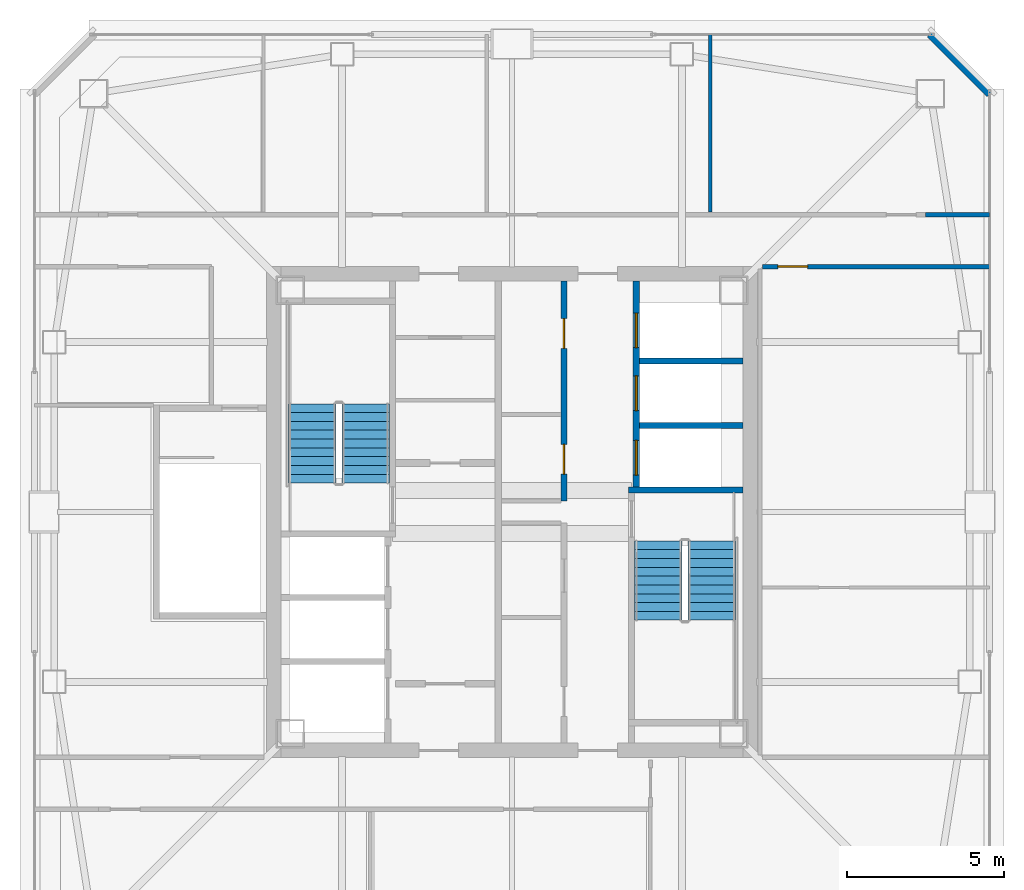
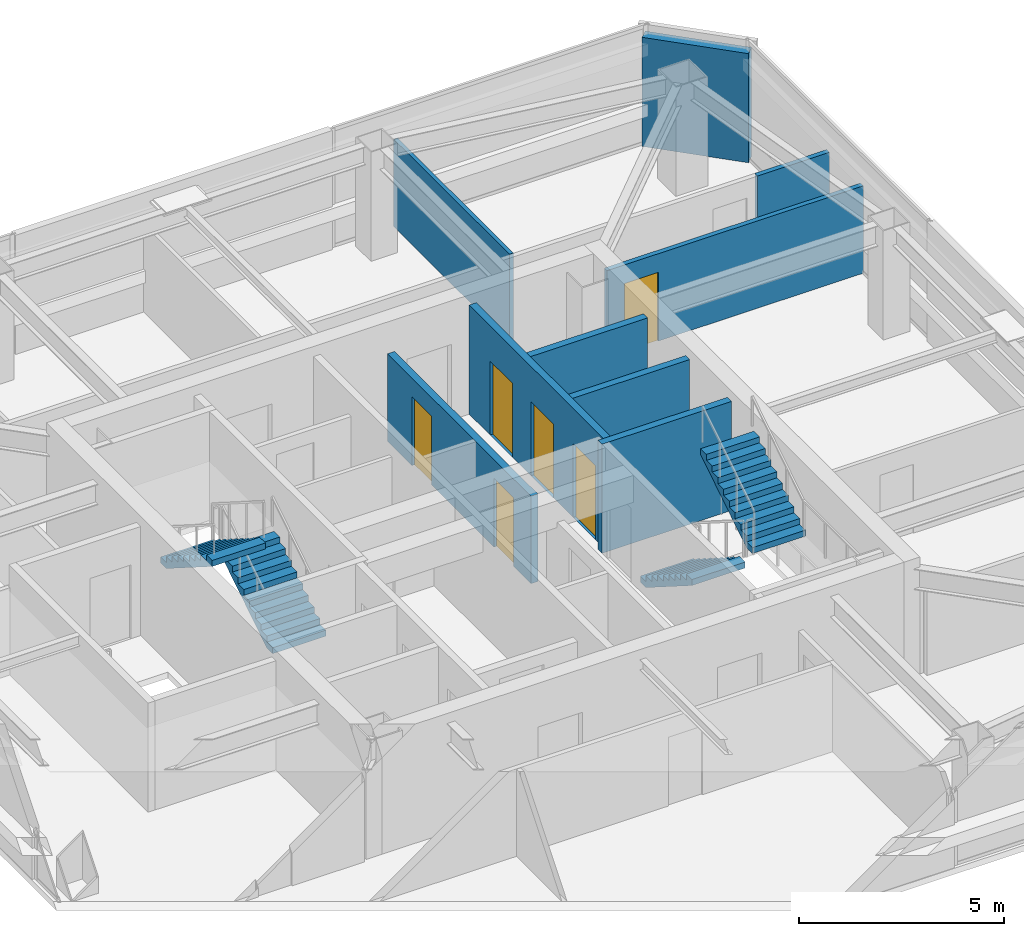
# One storey, part 15 of 18: 9 walls, 6 doors, 4 stair flights, 6 openings, 2 elements without a shape of their own.
"""IFC4 building model written with IfcOpenShell, lengths in metres."""

import ifcopenshell
import ifcopenshell.guid

model = None  # the IFC model being written
_history = None  # IfcOwnerHistory: only IFC2X3 demands one
_inside = {}  # id of a spatial element -> (the spatial element, [elements in it])
_under = {}  # id of a project, library or spatial element -> (it, [spatial elements below it])
_declared = {}  # id of a project -> (the project, [libraries it declares])
_typed = {}  # id of a type object -> (the type object, [elements of that type])
_made_of = {}  # id of a material, layer set ... -> (it, [elements and type objects made of it])


def new_model(schema):
    """Start an empty IFC model of exactly this schema.

    Asked for "IFC4X3", IfcOpenShell would pick the latest addendum, in which some entities
    have other attributes; the version numbers below select the first issue.
    IFC2X3 requires an IfcOwnerHistory on every rooted entity: one is made here for all.
    """
    global model, _history
    if schema == "IFC4X3":
        model = ifcopenshell.file(schema_version=(4, 3, 0, 0))
    else:
        model = ifcopenshell.file(schema=schema)
    _inside.clear()
    _under.clear()
    _declared.clear()
    _typed.clear()
    _made_of.clear()
    _history = None
    if model.schema == "IFC2X3":
        org = make("IfcOrganization", Name="unknown")
        user = make(
            "IfcPersonAndOrganization",
            ThePerson=make("IfcPerson", FamilyName="unknown"),
            TheOrganization=org,
        )
        app = make(
            "IfcApplication",
            ApplicationDeveloper=org,
            Version="unknown",
            ApplicationFullName="unknown",
            ApplicationIdentifier="unknown",
        )
        _history = make(
            "IfcOwnerHistory",
            OwningUser=user,
            OwningApplication=app,
            ChangeAction="ADDED",
            CreationDate=0,
        )
    return model


def make(cls, **values):
    """One entity of the class cls with the attributes given. An attribute that is None is left unset."""
    return model.create_entity(
        cls, **{name: value for name, value in values.items() if value is not None}
    )


def rooted(cls, **values):
    """An entity with a GlobalId (a new one), such as an element, a storey or a relation."""
    return make(cls, GlobalId=ifcopenshell.guid.new(), OwnerHistory=_history, **values)


def si_unit(unit_type, name, prefix=None):
    """IfcSIUnit, for example si_unit("LENGTHUNIT", "METRE", prefix="MILLI")."""
    return make("IfcSIUnit", UnitType=unit_type, Prefix=prefix, Name=name)


def assignment(units):
    """IfcUnitAssignment: the units of a project."""
    return None if units is None else make("IfcUnitAssignment", Units=units)


def point(xyz):
    """IfcCartesianPoint."""
    return None if xyz is None else make("IfcCartesianPoint", Coordinates=xyz)


def direction(xyz):
    """IfcDirection."""
    return None if xyz is None else make("IfcDirection", DirectionRatios=xyz)


def frame(location, z_axis=None, x_axis=None):
    """IfcAxis2Placement3D, a coordinate frame: its origin and axes. An axis left out is left unset."""
    return make(
        "IfcAxis2Placement3D",
        Location=point(location),
        Axis=direction(z_axis),
        RefDirection=direction(x_axis),
    )


def frame_2d(location, x_axis=None):
    """IfcAxis2Placement2D, a coordinate frame in the plane: its origin and x axis."""
    return make(
        "IfcAxis2Placement2D", Location=point(location), RefDirection=direction(x_axis)
    )


def origin():
    """The frame at (0, 0, 0) with its axes left unset."""
    return frame((0.0, 0.0, 0.0))


def place(relative_to, where):
    """IfcLocalPlacement: puts the frame where relative to a parent placement (None: the world)."""
    return make(
        "IfcLocalPlacement", PlacementRelTo=relative_to, RelativePlacement=where
    )


def context(
    kind, dimensions, precision=None, world=None, true_north=None, identifier=None
):
    """IfcGeometricRepresentationContext, for example the 3D "Model" context."""
    return make(
        "IfcGeometricRepresentationContext",
        ContextIdentifier=identifier,
        ContextType=kind,
        CoordinateSpaceDimension=dimensions,
        Precision=precision,
        WorldCoordinateSystem=world,
        TrueNorth=true_north,
    )


def subcontext(parent, identifier, kind, view, scale=None):
    """IfcGeometricRepresentationSubContext, for example "Body" below "Model"."""
    return make(
        "IfcGeometricRepresentationSubContext",
        ContextIdentifier=identifier,
        ContextType=kind,
        ParentContext=parent,
        TargetScale=scale,
        TargetView=view,
    )


def project(units=None, contexts=None):
    """IfcProject with its units and contexts."""
    return rooted(
        "IfcProject",
        Name="project",
        RepresentationContexts=contexts,
        UnitsInContext=assignment(units),
    )


def spatial(cls, under=None, at=None, **own):
    """A site, building, storey or space (cls), placed at a placement, below another one or the project."""
    s = rooted(cls, ObjectPlacement=at, **own)
    if under is not None:
        _under.setdefault(under.id(), (under, []))[1].append(s)
    return s


def polyline(points):
    """IfcPolyline through the points."""
    return make("IfcPolyline", Points=[point(p) for p in points])


def profile(cls, at=None, kind="AREA", **sizes):
    """A parametric profile (cls). Its sizes go by their IFC names, for example OverallWidth=200.0."""
    return make(cls, ProfileType=kind, Position=at, **sizes)


def rectangle(**sizes):
    """IfcRectangleProfileDef."""
    return profile("IfcRectangleProfileDef", **sizes)


def outline(outer, holes=None, kind="AREA"):
    """IfcArbitraryClosedProfileDef: a profile drawn as a closed curve; with holes, ...WithVoids."""
    if holes is None:
        return make("IfcArbitraryClosedProfileDef", ProfileType=kind, OuterCurve=outer)
    return make(
        "IfcArbitraryProfileDefWithVoids",
        ProfileType=kind,
        OuterCurve=outer,
        InnerCurves=holes,
    )


def extrude(swept, where, along, depth):
    """IfcExtrudedAreaSolid: the profile swept, set in the frame where, extruded along a direction by depth."""
    return make(
        "IfcExtrudedAreaSolid",
        SweptArea=swept,
        Position=where,
        ExtrudedDirection=direction(along),
        Depth=depth,
    )


def shape(context_of_items, identifier, shape_type, items):
    """IfcShapeRepresentation: the items that make up one representation, for example the "Body"."""
    return make(
        "IfcShapeRepresentation",
        ContextOfItems=context_of_items,
        RepresentationIdentifier=identifier,
        RepresentationType=shape_type,
        Items=items,
    )


def material(Name=None, Category=None):
    """IfcMaterial."""
    return make("IfcMaterial", Name=Name, Category=Category)


def layer(
    of_material, thickness, ventilated=None, Name=None, Category=None, Priority=None
):
    """IfcMaterialLayer: one layer of a wall or slab, of a material (None: an air gap)."""
    return make(
        "IfcMaterialLayer",
        Material=of_material,
        LayerThickness=thickness,
        IsVentilated=ventilated,
        Name=Name,
        Category=Category,
        Priority=Priority,
    )


def layer_set(layers, Name=None):
    """IfcMaterialLayerSet."""
    return make("IfcMaterialLayerSet", MaterialLayers=layers, LayerSetName=Name)


def made_of(thing, what):
    """Note that an element or type object is made of a material, layer set ...; save() writes the relation."""
    if what is not None:
        _made_of.setdefault(what.id(), (what, []))[1].append(thing)
    return thing


def type_object(cls, material=None, **own):
    """A type object (cls), such as IfcWallType, which elements share."""
    return made_of(rooted(cls, **own), material)


def element(
    cls,
    number,
    at=None,
    inside=None,
    cuts=None,
    type_object=None,
    material=None,
    context=None,
    identifier="Body",
    shape_type=None,
    held_by="IfcProductDefinitionShape",
    body=None,
    shapes=None,
    **own,
):
    """One element of the class cls, such as IfcWall. Its Tag is "e" and its number.

    at: its placement. inside: the storey or other place that contains it. cuts: it is an
    opening in that element (IfcRelVoidsElement). A single representation is given by context,
    identifier, shape_type and body (its items); several are given by shapes. held_by: the class
    of the entity that holds the representations. save() writes the other relations.
    """
    e = rooted(cls, Tag="e%d" % number, ObjectPlacement=at, **own)
    if body is not None:
        shapes = [shape(context, identifier, shape_type, body)]
    if shapes is not None:
        e.Representation = make(held_by, Representations=shapes)
    if inside is not None:
        _inside.setdefault(inside.id(), (inside, []))[1].append(e)
    if cuts is not None:
        rooted(
            "IfcRelVoidsElement", RelatingBuildingElement=cuts, RelatedOpeningElement=e
        )
    if type_object is not None:
        _typed.setdefault(type_object.id(), (type_object, []))[1].append(e)
    return made_of(e, material)


def fill(opening, filler):
    """IfcRelFillsElement: the door or window that sits in an opening."""
    return rooted(
        "IfcRelFillsElement",
        RelatingOpeningElement=opening,
        RelatedBuildingElement=filler,
    )


def aggregate(whole, parts):
    """IfcRelAggregates: a whole, such as a stair, and the parts it consists of."""
    return rooted("IfcRelAggregates", RelatingObject=whole, RelatedObjects=parts)


def save(model, path):
    """Write the relations noted so far, then the file.

    IfcRelAggregates (storeys below a building ...), IfcRelContainedInSpatialStructure (elements
    in a storey), IfcRelDefinesByType, IfcRelAssociatesMaterial and IfcRelDeclares: one each for
    every whole, place, type object, material and project.
    """
    for whole, parts in _under.values():
        aggregate(whole, parts)
    for where, things in _inside.values():
        rooted(
            "IfcRelContainedInSpatialStructure",
            RelatedElements=things,
            RelatingStructure=where,
        )
    for kind, things in _typed.values():
        rooted("IfcRelDefinesByType", RelatedObjects=things, RelatingType=kind)
    for what, things in _made_of.values():
        rooted("IfcRelAssociatesMaterial", RelatedObjects=things, RelatingMaterial=what)
    for by, libraries in _declared.values():
        rooted("IfcRelDeclares", RelatingContext=by, RelatedDefinitions=libraries)
    model.write(path)


model = new_model("IFC4")

# Units and contexts
model_context = context("Model", 3, precision=1e-05, world=origin(), true_north=direction((0.0, 1.0)))
body_context = subcontext(model_context, "Body", "Model", "MODEL_VIEW")
ifc_project = project(units=[si_unit("LENGTHUNIT", "METRE"), si_unit("AREAUNIT", "SQUARE_METRE"), si_unit("VOLUMEUNIT", "CUBIC_METRE"), si_unit("PLANEANGLEUNIT", "RADIAN"), si_unit("MASSUNIT", "GRAM", prefix="KILO")], contexts=[model_context])

# Site, building, storey
site_placement = place(None, origin())
site = spatial("IfcSite", under=ifc_project, at=site_placement, CompositionType="ELEMENT")
building_placement = place(site_placement, origin())
building = spatial("IfcBuilding", under=site, at=building_placement, Name="Tashvorn Skyway Center", CompositionType="ELEMENT")
storey_placement = place(building_placement, frame((0.0, 0.0, 274.050048828125)))
storey = spatial("IfcBuildingStorey", under=building, at=storey_placement, Name="L74", CompositionType="ELEMENT", Elevation=274.050048828125)

# Walls
ifc_material_1 = material(Name="Precast concrete C40/50", Category="concrete")
ifc_layer_1 = layer(ifc_material_1, 0.280029296875)
ifc_layer_set_1 = layer_set([ifc_layer_1], Name="Precast concrete C40/50")
wall_type_1 = type_object("IfcWallType", Name="WALL-EXT-280", PredefinedType="SOLIDWALL", material=ifc_layer_set_1)
wall_1_placement = place(storey_placement, frame((55.300048828125, 47.199951171875, 0.0), z_axis=(0.0, 0.0, 1.0), x_axis=(0.707106781187, -0.707106781187, 0.0)))
element("IfcWall", 1, at=wall_1_placement, inside=storey, type_object=wall_type_1, Name="Tower 1 L74 NE Precast Chamfer Wall", PredefinedType="SOLIDWALL", context=body_context, shape_type="SweptSolid", body=[
    extrude(rectangle(XDim=2.686767578125, YDim=0.280029296875, at=frame_2d((1.34326171875, 0.0))), origin(), (0.0, 0.0, 1.0), 3.25),
])
ifc_material_2 = material(Name="Gypsum board on cold-formed steel stud framing", Category="steel")
ifc_layer_2 = layer(ifc_material_2, 0.110107421875)
ifc_layer_set_2 = layer_set([ifc_layer_2], Name="Gypsum board on cold-formed steel stud framing")
wall_type_2 = type_object("IfcWallType", Name="WALL-PART-110", PredefinedType="PARTITIONING", material=ifc_layer_set_2)
wall_2_placement = place(storey_placement, frame((48.300048828125, 41.530029296875, 0.0), z_axis=(0.0, 0.0, 1.0), x_axis=(0.0, 1.0, 0.0)))
element("IfcWall", 2, at=wall_2_placement, inside=storey, type_object=wall_type_2, Name="Tower 1 L74 North Suite Partition 3", PredefinedType="PARTITIONING", context=body_context, shape_type="SweptSolid", body=[
    extrude(rectangle(XDim=5.64990234375, YDim=0.110107421875, at=frame_2d((2.824951171875, 0.0))), origin(), (0.0, 0.0, 1.0), 2.60302734375),
])
ifc_layer_3 = layer(ifc_material_2, 0.135009765625)
ifc_layer_set_3 = layer_set([ifc_layer_3], Name="Gypsum board on cold-formed steel stud framing")
wall_type_3 = type_object("IfcWallType", Name="WALL-PART-135", PredefinedType="PARTITIONING", material=ifc_layer_set_3)
wall_3_placement = place(storey_placement, frame((55.14990234375, 41.449951171875, 0.0), z_axis=(0.0, 0.0, 1.0), x_axis=(1.0, 0.0, 0.0)))
element("IfcWall", 3, at=wall_3_placement, inside=storey, type_object=wall_type_3, Name="Tower 1 L74 North-East Suite South Wall", PredefinedType="PARTITIONING", context=body_context, shape_type="SweptSolid", body=[
    extrude(rectangle(XDim=2.030029296875, YDim=0.135009765625, at=frame_2d((1.01513671875, 0.0))), origin(), (0.0, 0.0, 1.0), 2.60302734375),
])

# Wall, opening, door
wall_4_placement = place(storey_placement, frame((57.179931640625, 39.800048828125, 0.0), z_axis=(0.0, 0.0, 1.0), x_axis=(-1.0, 0.0, 0.0)))
wall_4 = element("IfcWall", 4, at=wall_4_placement, inside=storey, type_object=wall_type_3, Name="Tower 1 L74 East Suite North Wall", PredefinedType="PARTITIONING", context=body_context, shape_type="SweptSolid", body=[
    extrude(rectangle(XDim=7.219970703125, YDim=0.135009765625, at=frame_2d((3.60986328125, 0.0))), origin(), (0.0, 0.0, 1.0), 2.60302734375),
])
opening_1_placement = place(wall_4_placement, frame((5.780029296875, 0.0, 0.0)))
opening_1 = element("IfcOpeningElement", 5, at=opening_1_placement, cuts=wall_4, Name="Opening D-INT-950", PredefinedType="OPENING", context=body_context, shape_type="SweptSolid", body=[
    extrude(rectangle(XDim=0.949951171875, YDim=2.050048828125, at=frame_2d((0.47509765625, 1.02490234375))), frame((0.0, 0.077392578125, 0.0), z_axis=(0.0, -1.0, 0.0), x_axis=(1.0, 0.0, 0.0)), (0.0, 0.0, 1.0), 0.155029296875),
])
ifc_material_3 = material(Name="Solid-core architectural oak veneer door")
door_type_1 = type_object("IfcDoorType", Name="DOOR-INT-950", OperationType="NOTDEFINED", PredefinedType="DOOR", material=ifc_material_3)
door_1_placement = place(opening_1_placement, origin())
door_1 = element("IfcDoor", 6, at=door_1_placement, inside=storey, type_object=door_type_1, Name="Tower 1 L74 Conference Room Door", OperationType="SINGLE_SWING_RIGHT", OverallHeight=2.050048828125, OverallWidth=0.949951171875, PredefinedType="DOOR", context=body_context, shape_type="SweptSolid", body=[
    extrude(rectangle(XDim=0.949951171875, YDim=2.050048828125, at=frame_2d((0.47509765625, 1.02490234375))), frame((0.0, 0.02490234375, 0.0), z_axis=(0.0, -1.0, 0.0), x_axis=(1.0, 0.0, 0.0)), (0.0, 0.0, 1.0), 0.050048828125),
])
fill(opening_1, door_1)

# Walls
ifc_material_4 = material(Name="Concrete C40/50", Category="concrete")
ifc_layer_4 = layer(ifc_material_4, 0.199951171875)
ifc_layer_set_4 = layer_set([ifc_layer_4], Name="Concrete C40/50")
wall_type_4 = type_object("IfcWallType", Name="WALL-SHAFT-200", PredefinedType="SOLIDWALL", material=ifc_layer_set_4)
for number, where, z_axis, x_axis, name in (
    (7, (46.050048828125, 34.75, 0.0), (0.0, 0.0, 1.0), (1.0, 0.0, 0.0), "Tower 1 L74 High-Rise Shaft Divider"),
    (8, (46.050048828125, 36.800048828125, 0.0), (0.0, 0.0, 1.0), (1.0, 0.0, 0.0), "Tower 1 L74 High-Rise Shaft Divider"),
):
    element("IfcWall", number, at=place(storey_placement, frame(where, z_axis=z_axis, x_axis=x_axis)), inside=storey, type_object=wall_type_4, Name=name, PredefinedType="SOLIDWALL", context=body_context, shape_type="SweptSolid", body=[
        extrude(rectangle(XDim=3.300048828125, YDim=0.199951171875, at=frame_2d((1.64990234375, 0.0))), origin(), (0.0, 0.0, 1.0), 3.25),
    ])

# Wall, openings, doors
wall_5_placement = place(storey_placement, frame((43.64990234375, 32.35009765625, 0.0), z_axis=(0.0, 0.0, 1.0), x_axis=(0.0, 1.0, 0.0)))
wall_5 = element("IfcWall", 9, at=wall_5_placement, inside=storey, type_object=wall_type_4, Name="Tower 1 L74 Mid-Rise Core Wall", PredefinedType="SOLIDWALL", context=body_context, shape_type="SweptSolid", body=[
    extrude(rectangle(XDim=7.0, YDim=0.199951171875, at=frame_2d((3.5, 0.0))), origin(), (0.0, 0.0, 1.0), 2.60302734375),
])
opening_2_placement = place(wall_5_placement, frame((0.85009765625, 0.0, 0.0)))
opening_2 = element("IfcOpeningElement", 10, at=opening_2_placement, cuts=wall_5, Name="Opening D-RT-950", PredefinedType="OPENING", context=body_context, shape_type="SweptSolid", body=[
    extrude(rectangle(XDim=0.949951171875, YDim=2.050048828125, at=frame_2d((0.47509765625, 1.02490234375))), frame((0.0, 0.10986328125, 0.0), z_axis=(0.0, -1.0, 0.0), x_axis=(1.0, 0.0, 0.0)), (0.0, 0.0, 1.0), 0.219970703125),
])
opening_3_placement = place(wall_5_placement, frame((4.85009765625, 0.0, 0.0)))
opening_3 = element("IfcOpeningElement", 11, at=opening_3_placement, cuts=wall_5, Name="Opening D-RT-950", PredefinedType="OPENING", context=body_context, shape_type="SweptSolid", body=[
    extrude(rectangle(XDim=0.949951171875, YDim=2.050048828125, at=frame_2d((0.47509765625, 1.02490234375))), frame((0.0, 0.10986328125, 0.0), z_axis=(0.0, -1.0, 0.0), x_axis=(1.0, 0.0, 0.0)), (0.0, 0.0, 1.0), 0.219970703125),
])
ifc_material_5 = material(Name="Hollow galvanized steel fire door assembly", Category="steel")
door_type_2 = type_object("IfcDoorType", Name="DOOR-RATED-950", OperationType="NOTDEFINED", PredefinedType="DOOR", material=ifc_material_5)
door_2_placement = place(opening_2_placement, origin())
door_2 = element("IfcDoor", 12, at=door_2_placement, inside=storey, type_object=door_type_2, Name="Tower 1 L74 Core IT Room Door", OperationType="SINGLE_SWING_RIGHT", OverallHeight=2.050048828125, OverallWidth=0.949951171875, PredefinedType="DOOR", context=body_context, shape_type="SweptSolid", body=[
    extrude(rectangle(XDim=0.949951171875, YDim=2.050048828125, at=frame_2d((0.47509765625, 1.02490234375))), frame((0.0, 0.02490234375, 0.0), z_axis=(0.0, -1.0, 0.0), x_axis=(1.0, 0.0, 0.0)), (0.0, 0.0, 1.0), 0.050048828125),
])
fill(opening_2, door_2)
door_3_placement = place(opening_3_placement, origin())
door_3 = element("IfcDoor", 13, at=door_3_placement, inside=storey, type_object=door_type_2, Name="Tower 1 L74 Core Catering Pantry Door", OperationType="SINGLE_SWING_LEFT", OverallHeight=2.050048828125, OverallWidth=0.949951171875, PredefinedType="DOOR", context=body_context, shape_type="SweptSolid", body=[
    extrude(rectangle(XDim=0.949951171875, YDim=2.050048828125, at=frame_2d((0.47509765625, 1.02490234375))), frame((0.0, 0.02490234375, 0.0), z_axis=(0.0, -1.0, 0.0), x_axis=(1.0, 0.0, 0.0)), (0.0, 0.0, 1.0), 0.050048828125),
])
fill(opening_3, door_3)

# Wall
ifc_layer_5 = layer(ifc_material_4, 0.199951171875)
ifc_layer_set_5 = layer_set([ifc_layer_5], Name="Concrete C40/50")
wall_type_5 = type_object("IfcWallType", Name="WALL-STSHF-200", PredefinedType="SHEAR", material=ifc_layer_set_5)
wall_6_placement = place(storey_placement, frame((45.699951171875, 32.699951171875, 0.0), z_axis=(0.0, 0.0, 1.0), x_axis=(1.0, 0.0, 0.0)))
element("IfcWall", 14, at=wall_6_placement, inside=storey, type_object=wall_type_5, Name="Tower 1 L74 Stair 2 North Wall", PredefinedType="SHEAR", context=body_context, shape_type="SweptSolid", body=[
    extrude(rectangle(XDim=3.650146484375, YDim=0.199951171875, at=frame_2d((1.8251953125, 0.0))), origin(), (0.0, 0.0, 1.0), 3.25),
])

# Wall, openings, doors
wall_7_placement = place(storey_placement, frame((45.949951171875, 39.35009765625, 0.0), z_axis=(0.0, 0.0, 1.0), x_axis=(0.0, -1.0, 0.0)))
wall_7 = element("IfcWall", 15, at=wall_7_placement, inside=storey, type_object=wall_type_5, Name="Tower 1 L74 High-Rise Lift Shaft Front Wall", PredefinedType="SHEAR", context=body_context, shape_type="SweptSolid", body=[
    extrude(rectangle(XDim=6.550048828125, YDim=0.199951171875, at=frame_2d((3.27490234375, 0.0))), origin(), (0.0, 0.0, 1.0), 3.25),
])
opening_4_placement = place(wall_7_placement, frame((5.074951171875, 0.0, 0.0)))
opening_4 = element("IfcOpeningElement", 16, at=opening_4_placement, cuts=wall_7, Name="Opening LD-HR-T1-1-L74", PredefinedType="OPENING", context=body_context, shape_type="SweptSolid", body=[
    extrude(rectangle(XDim=1.10009765625, YDim=2.199951171875, at=frame_2d((0.550048828125, 1.10009765625))), frame((0.0, 0.10986328125, 0.0), z_axis=(0.0, -1.0, 0.0), x_axis=(1.0, 0.0, 0.0)), (0.0, 0.0, 1.0), 0.219970703125),
])
opening_5_placement = place(wall_7_placement, frame((3.02490234375, 0.0, 0.0)))
opening_5 = element("IfcOpeningElement", 17, at=opening_5_placement, cuts=wall_7, Name="Opening LD-HR-T1-2-L74", PredefinedType="OPENING", context=body_context, shape_type="SweptSolid", body=[
    extrude(rectangle(XDim=1.10009765625, YDim=2.199951171875, at=frame_2d((0.550048828125, 1.10009765625))), frame((0.0, 0.10986328125, 0.0), z_axis=(0.0, -1.0, 0.0), x_axis=(1.0, 0.0, 0.0)), (0.0, 0.0, 1.0), 0.219970703125),
])
opening_6_placement = place(wall_7_placement, frame((1.02490234375, 0.0, 0.0)))
opening_6 = element("IfcOpeningElement", 18, at=opening_6_placement, cuts=wall_7, Name="Opening LD-HR-T1-3-L74", PredefinedType="OPENING", context=body_context, shape_type="SweptSolid", body=[
    extrude(rectangle(XDim=1.10009765625, YDim=2.199951171875, at=frame_2d((0.550048828125, 1.10009765625))), frame((0.0, 0.10986328125, 0.0), z_axis=(0.0, -1.0, 0.0), x_axis=(1.0, 0.0, 0.0)), (0.0, 0.0, 1.0), 0.219970703125),
])
ifc_material_6 = material(Name="Stainless steel landing door", Category="steel")
door_type_3 = type_object("IfcDoorType", Name="DOOR-LIFT-1100", OperationType="SLIDING_TO_LEFT", PredefinedType="DOOR", material=ifc_material_6)
door_4_placement = place(opening_4_placement, origin())
door_4 = element("IfcDoor", 19, at=door_4_placement, inside=storey, type_object=door_type_3, Name="Lift HR-T1-1 L74 Landing Door", OperationType="SLIDING_TO_LEFT", OverallHeight=2.199951171875, OverallWidth=1.10009765625, PredefinedType="DOOR", context=body_context, shape_type="SweptSolid", body=[
    extrude(rectangle(XDim=1.10009765625, YDim=2.199951171875, at=frame_2d((0.550048828125, 1.10009765625))), frame((0.0, 0.02490234375, 0.0), z_axis=(0.0, -1.0, 0.0), x_axis=(1.0, 0.0, 0.0)), (0.0, 0.0, 1.0), 0.050048828125),
])
fill(opening_4, door_4)
door_5_placement = place(opening_5_placement, origin())
door_5 = element("IfcDoor", 20, at=door_5_placement, inside=storey, type_object=door_type_3, Name="Lift HR-T1-2 L74 Landing Door", OperationType="SLIDING_TO_LEFT", OverallHeight=2.199951171875, OverallWidth=1.10009765625, PredefinedType="DOOR", context=body_context, shape_type="SweptSolid", body=[
    extrude(rectangle(XDim=1.10009765625, YDim=2.199951171875, at=frame_2d((0.550048828125, 1.10009765625))), frame((0.0, 0.02490234375, 0.0), z_axis=(0.0, -1.0, 0.0), x_axis=(1.0, 0.0, 0.0)), (0.0, 0.0, 1.0), 0.050048828125),
])
fill(opening_5, door_5)
door_6_placement = place(opening_6_placement, origin())
door_6 = element("IfcDoor", 21, at=door_6_placement, inside=storey, type_object=door_type_3, Name="Lift HR-T1-3 L74 Landing Door", OperationType="SLIDING_TO_LEFT", OverallHeight=2.199951171875, OverallWidth=1.10009765625, PredefinedType="DOOR", context=body_context, shape_type="SweptSolid", body=[
    extrude(rectangle(XDim=1.10009765625, YDim=2.199951171875, at=frame_2d((0.550048828125, 1.10009765625))), frame((0.0, 0.02490234375, 0.0), z_axis=(0.0, -1.0, 0.0), x_axis=(1.0, 0.0, 0.0)), (0.0, 0.0, 1.0), 0.050048828125),
])
fill(opening_6, door_6)

# Stair, stair flights
stair_type = type_object("IfcStairType", Name="STAIR-CORE-1500", PredefinedType="HALF_TURN_STAIR", material=ifc_material_4)
stair_1_placement = place(storey_placement, origin())
stair_1 = element("IfcStair", 22, at=stair_1_placement, inside=storey, type_object=stair_type, Name="L74 Tower 1 Exit Stair 1", PredefinedType="HALF_TURN_STAIR")
stair_flight_type = type_object("IfcStairFlightType", Name="SFLIGHT-1500", PredefinedType="STRAIGHT", material=ifc_material_4)
stair_flight_1_placement = place(storey_placement, frame((37.35009765625, 32.919921875, 0.0), z_axis=(0.0, 0.0, 1.0), x_axis=(0.0, 1.0, 0.0)))
stair_flight_1 = element("IfcStairFlight", 23, at=stair_flight_1_placement, type_object=stair_flight_type, Name="ST-T1-1 flight 1", NumberOfRisers=10, NumberOfTreads=9, PredefinedType="STRAIGHT", RiserHeight=0.1775, TreadLength=0.28, context=body_context, shape_type="SweptSolid", body=[
    extrude(outline(polyline([(0.0, 0.0), (0.0, 0.177490234375), (0.280029296875, 0.177490234375), (0.280029296875, 0.35498046875), (0.56005859375, 0.35498046875), (0.56005859375, 0.532470703125), (0.840087890625, 0.532470703125), (0.840087890625, 0.7099609375), (1.1201171875, 0.7099609375), (1.1201171875, 0.887451171875), (1.39990234375, 0.887451171875), (1.39990234375, 1.06494140625), (1.679931640625, 1.06494140625), (1.679931640625, 1.242431640625), (1.9599609375, 1.242431640625), (1.9599609375, 1.419921875), (2.239990234375, 1.419921875), (2.239990234375, 1.597412109375), (2.52001953125, 1.597412109375), (2.52001953125, 1.77490234375), (2.52001953125, 1.419921875), (0.280029296875, 0.0), (0.0, 0.0)])), frame((0.0, 0.75, 0.0), z_axis=(0.0, -1.0, 0.0), x_axis=(1.0, 0.0, 0.0)), (0.0, 0.0, 1.0), 1.5),
])
stair_flight_2_placement = place(storey_placement, frame((35.64990234375, 35.43994140625, 1.77490234375), z_axis=(0.0, 0.0, 1.0), x_axis=(0.0, -1.0, 0.0)))
stair_flight_2 = element("IfcStairFlight", 24, at=stair_flight_2_placement, type_object=stair_flight_type, Name="ST-T1-1 flight 2", NumberOfRisers=10, NumberOfTreads=9, PredefinedType="STRAIGHT", RiserHeight=0.1775, TreadLength=0.28, context=body_context, shape_type="SweptSolid", body=[
    extrude(outline(polyline([(0.0, 0.0), (0.0, 0.177490234375), (0.280029296875, 0.177490234375), (0.280029296875, 0.35498046875), (0.56005859375, 0.35498046875), (0.56005859375, 0.532470703125), (0.840087890625, 0.532470703125), (0.840087890625, 0.7099609375), (1.1201171875, 0.7099609375), (1.1201171875, 0.887451171875), (1.39990234375, 0.887451171875), (1.39990234375, 1.06494140625), (1.679931640625, 1.06494140625), (1.679931640625, 1.242431640625), (1.9599609375, 1.242431640625), (1.9599609375, 1.419921875), (2.239990234375, 1.419921875), (2.239990234375, 1.597412109375), (2.52001953125, 1.597412109375), (2.52001953125, 1.77490234375), (2.52001953125, 1.419921875), (0.280029296875, 0.0), (0.0, 0.0)])), frame((0.0, 0.75, 0.0), z_axis=(0.0, -1.0, 0.0), x_axis=(1.0, 0.0, 0.0)), (0.0, 0.0, 1.0), 1.5),
])
aggregate(stair_1, [stair_flight_1, stair_flight_2])

stair_2_placement = place(storey_placement, origin())
stair_2 = element("IfcStair", 25, at=stair_2_placement, inside=storey, type_object=stair_type, Name="L74 Tower 1 Exit Stair 2", PredefinedType="HALF_TURN_STAIR")
stair_flight_3_placement = place(storey_placement, frame((46.64990234375, 31.080078125, 0.0), z_axis=(0.0, 0.0, 1.0), x_axis=(0.0, -1.0, 0.0)))
stair_flight_3 = element("IfcStairFlight", 26, at=stair_flight_3_placement, type_object=stair_flight_type, Name="ST-T1-2 flight 1", NumberOfRisers=10, NumberOfTreads=9, PredefinedType="STRAIGHT", RiserHeight=0.1775, TreadLength=0.28, context=body_context, shape_type="SweptSolid", body=[
    extrude(outline(polyline([(0.0, 0.0), (0.0, 0.177490234375), (0.280029296875, 0.177490234375), (0.280029296875, 0.35498046875), (0.56005859375, 0.35498046875), (0.56005859375, 0.532470703125), (0.840087890625, 0.532470703125), (0.840087890625, 0.7099609375), (1.1201171875, 0.7099609375), (1.1201171875, 0.887451171875), (1.39990234375, 0.887451171875), (1.39990234375, 1.06494140625), (1.679931640625, 1.06494140625), (1.679931640625, 1.242431640625), (1.9599609375, 1.242431640625), (1.9599609375, 1.419921875), (2.239990234375, 1.419921875), (2.239990234375, 1.597412109375), (2.52001953125, 1.597412109375), (2.52001953125, 1.77490234375), (2.52001953125, 1.419921875), (0.280029296875, 0.0), (0.0, 0.0)])), frame((0.0, 0.75, 0.0), z_axis=(0.0, -1.0, 0.0), x_axis=(1.0, 0.0, 0.0)), (0.0, 0.0, 1.0), 1.5),
])
stair_flight_4_placement = place(storey_placement, frame((48.35009765625, 28.56005859375, 1.77490234375), z_axis=(0.0, 0.0, 1.0), x_axis=(0.0, 1.0, 0.0)))
stair_flight_4 = element("IfcStairFlight", 27, at=stair_flight_4_placement, type_object=stair_flight_type, Name="ST-T1-2 flight 2", NumberOfRisers=10, NumberOfTreads=9, PredefinedType="STRAIGHT", RiserHeight=0.1775, TreadLength=0.28, context=body_context, shape_type="SweptSolid", body=[
    extrude(outline(polyline([(0.0, 0.0), (0.0, 0.177490234375), (0.280029296875, 0.177490234375), (0.280029296875, 0.35498046875), (0.56005859375, 0.35498046875), (0.56005859375, 0.532470703125), (0.840087890625, 0.532470703125), (0.840087890625, 0.7099609375), (1.1201171875, 0.7099609375), (1.1201171875, 0.887451171875), (1.39990234375, 0.887451171875), (1.39990234375, 1.06494140625), (1.679931640625, 1.06494140625), (1.679931640625, 1.242431640625), (1.9599609375, 1.242431640625), (1.9599609375, 1.419921875), (2.239990234375, 1.419921875), (2.239990234375, 1.597412109375), (2.52001953125, 1.597412109375), (2.52001953125, 1.77490234375), (2.52001953125, 1.419921875), (0.280029296875, 0.0), (0.0, 0.0)])), frame((0.0, 0.75, 0.0), z_axis=(0.0, -1.0, 0.0), x_axis=(1.0, 0.0, 0.0)), (0.0, 0.0, 1.0), 1.5),
])
aggregate(stair_2, [stair_flight_3, stair_flight_4])

save(model, "model.ifc")
